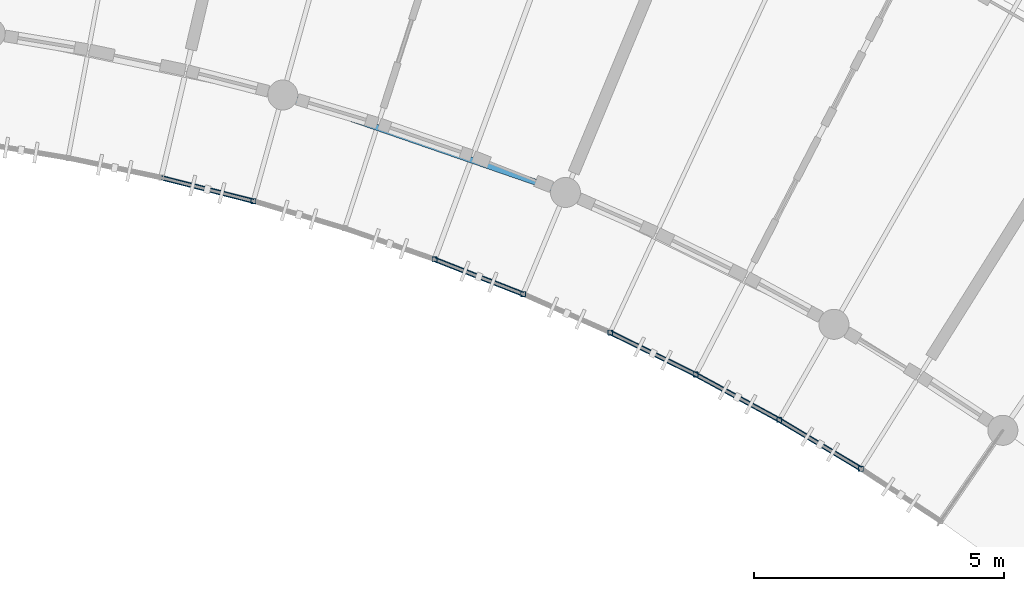
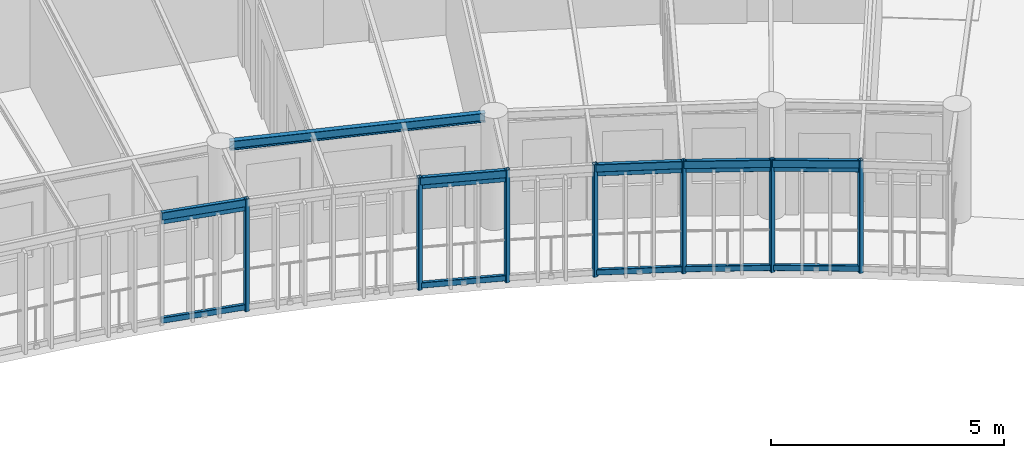
# One storey, part 38 of 101: 17 members, 6 beams.
"""IFC4 building model written with IfcOpenShell, lengths in metres."""

import ifcopenshell
import ifcopenshell.guid

model = None  # the IFC model being written
_history = None  # IfcOwnerHistory: only IFC2X3 demands one
_inside = {}  # id of a spatial element -> (the spatial element, [elements in it])
_under = {}  # id of a project, library or spatial element -> (it, [spatial elements below it])
_declared = {}  # id of a project -> (the project, [libraries it declares])
_typed = {}  # id of a type object -> (the type object, [elements of that type])
_made_of = {}  # id of a material, layer set ... -> (it, [elements and type objects made of it])


def new_model(schema):
    """Start an empty IFC model of exactly this schema.

    Asked for "IFC4X3", IfcOpenShell would pick the latest addendum, in which some entities
    have other attributes; the version numbers below select the first issue.
    IFC2X3 requires an IfcOwnerHistory on every rooted entity: one is made here for all.
    """
    global model, _history
    if schema == "IFC4X3":
        model = ifcopenshell.file(schema_version=(4, 3, 0, 0))
    else:
        model = ifcopenshell.file(schema=schema)
    _inside.clear()
    _under.clear()
    _declared.clear()
    _typed.clear()
    _made_of.clear()
    _history = None
    if model.schema == "IFC2X3":
        org = make("IfcOrganization", Name="unknown")
        user = make(
            "IfcPersonAndOrganization",
            ThePerson=make("IfcPerson", FamilyName="unknown"),
            TheOrganization=org,
        )
        app = make(
            "IfcApplication",
            ApplicationDeveloper=org,
            Version="unknown",
            ApplicationFullName="unknown",
            ApplicationIdentifier="unknown",
        )
        _history = make(
            "IfcOwnerHistory",
            OwningUser=user,
            OwningApplication=app,
            ChangeAction="ADDED",
            CreationDate=0,
        )
    return model


def make(cls, **values):
    """One entity of the class cls with the attributes given. An attribute that is None is left unset."""
    return model.create_entity(
        cls, **{name: value for name, value in values.items() if value is not None}
    )


def rooted(cls, **values):
    """An entity with a GlobalId (a new one), such as an element, a storey or a relation."""
    return make(cls, GlobalId=ifcopenshell.guid.new(), OwnerHistory=_history, **values)


def si_unit(unit_type, name, prefix=None):
    """IfcSIUnit, for example si_unit("LENGTHUNIT", "METRE", prefix="MILLI")."""
    return make("IfcSIUnit", UnitType=unit_type, Prefix=prefix, Name=name)


def assignment(units):
    """IfcUnitAssignment: the units of a project."""
    return None if units is None else make("IfcUnitAssignment", Units=units)


def point(xyz):
    """IfcCartesianPoint."""
    return None if xyz is None else make("IfcCartesianPoint", Coordinates=xyz)


def direction(xyz):
    """IfcDirection."""
    return None if xyz is None else make("IfcDirection", DirectionRatios=xyz)


def frame(location, z_axis=None, x_axis=None):
    """IfcAxis2Placement3D, a coordinate frame: its origin and axes. An axis left out is left unset."""
    return make(
        "IfcAxis2Placement3D",
        Location=point(location),
        Axis=direction(z_axis),
        RefDirection=direction(x_axis),
    )


def frame_2d(location, x_axis=None):
    """IfcAxis2Placement2D, a coordinate frame in the plane: its origin and x axis."""
    return make(
        "IfcAxis2Placement2D", Location=point(location), RefDirection=direction(x_axis)
    )


def origin():
    """The frame at (0, 0, 0) with its axes left unset."""
    return frame((0.0, 0.0, 0.0))


def origin_2d():
    """The frame at (0, 0) in the plane with its x axis left unset."""
    return frame_2d((0.0, 0.0))


def place(relative_to, where):
    """IfcLocalPlacement: puts the frame where relative to a parent placement (None: the world)."""
    return make(
        "IfcLocalPlacement", PlacementRelTo=relative_to, RelativePlacement=where
    )


def context(
    kind, dimensions, precision=None, world=None, true_north=None, identifier=None
):
    """IfcGeometricRepresentationContext, for example the 3D "Model" context."""
    return make(
        "IfcGeometricRepresentationContext",
        ContextIdentifier=identifier,
        ContextType=kind,
        CoordinateSpaceDimension=dimensions,
        Precision=precision,
        WorldCoordinateSystem=world,
        TrueNorth=true_north,
    )


def subcontext(parent, identifier, kind, view, scale=None):
    """IfcGeometricRepresentationSubContext, for example "Body" below "Model"."""
    return make(
        "IfcGeometricRepresentationSubContext",
        ContextIdentifier=identifier,
        ContextType=kind,
        ParentContext=parent,
        TargetScale=scale,
        TargetView=view,
    )


def project(units=None, contexts=None):
    """IfcProject with its units and contexts."""
    return rooted(
        "IfcProject",
        Name="project",
        RepresentationContexts=contexts,
        UnitsInContext=assignment(units),
    )


def spatial(cls, under=None, at=None, **own):
    """A site, building, storey or space (cls), placed at a placement, below another one or the project."""
    s = rooted(cls, ObjectPlacement=at, **own)
    if under is not None:
        _under.setdefault(under.id(), (under, []))[1].append(s)
    return s


def profile(cls, at=None, kind="AREA", **sizes):
    """A parametric profile (cls). Its sizes go by their IFC names, for example OverallWidth=200.0."""
    return make(cls, ProfileType=kind, Position=at, **sizes)


def hollow_rectangle(**sizes):
    """IfcRectangleHollowProfileDef."""
    return profile("IfcRectangleHollowProfileDef", **sizes)


def i_section(**sizes):
    """IfcIShapeProfileDef."""
    return profile("IfcIShapeProfileDef", **sizes)


def extrude(swept, where, along, depth):
    """IfcExtrudedAreaSolid: the profile swept, set in the frame where, extruded along a direction by depth."""
    return make(
        "IfcExtrudedAreaSolid",
        SweptArea=swept,
        Position=where,
        ExtrudedDirection=direction(along),
        Depth=depth,
    )


def shape(context_of_items, identifier, shape_type, items):
    """IfcShapeRepresentation: the items that make up one representation, for example the "Body"."""
    return make(
        "IfcShapeRepresentation",
        ContextOfItems=context_of_items,
        RepresentationIdentifier=identifier,
        RepresentationType=shape_type,
        Items=items,
    )


def material(Name=None, Category=None):
    """IfcMaterial."""
    return make("IfcMaterial", Name=Name, Category=Category)


def material_profile(
    of_material, cross_section, Name=None, Category=None, Priority=None
):
    """IfcMaterialProfile: a cross section and its material."""
    return make(
        "IfcMaterialProfile",
        Name=Name,
        Material=of_material,
        Profile=cross_section,
        Priority=Priority,
        Category=Category,
    )


def profile_set(profiles, Name=None, composite=None):
    """IfcMaterialProfileSet."""
    return make(
        "IfcMaterialProfileSet",
        Name=Name,
        MaterialProfiles=profiles,
        CompositeProfile=composite,
    )


def made_of(thing, what):
    """Note that an element or type object is made of a material, layer set ...; save() writes the relation."""
    if what is not None:
        _made_of.setdefault(what.id(), (what, []))[1].append(thing)
    return thing


def type_object(cls, material=None, **own):
    """A type object (cls), such as IfcWallType, which elements share."""
    return made_of(rooted(cls, **own), material)


def element(
    cls,
    number,
    at=None,
    inside=None,
    cuts=None,
    type_object=None,
    material=None,
    context=None,
    identifier="Body",
    shape_type=None,
    held_by="IfcProductDefinitionShape",
    body=None,
    shapes=None,
    **own,
):
    """One element of the class cls, such as IfcWall. Its Tag is "e" and its number.

    at: its placement. inside: the storey or other place that contains it. cuts: it is an
    opening in that element (IfcRelVoidsElement). A single representation is given by context,
    identifier, shape_type and body (its items); several are given by shapes. held_by: the class
    of the entity that holds the representations. save() writes the other relations.
    """
    e = rooted(cls, Tag="e%d" % number, ObjectPlacement=at, **own)
    if body is not None:
        shapes = [shape(context, identifier, shape_type, body)]
    if shapes is not None:
        e.Representation = make(held_by, Representations=shapes)
    if inside is not None:
        _inside.setdefault(inside.id(), (inside, []))[1].append(e)
    if cuts is not None:
        rooted(
            "IfcRelVoidsElement", RelatingBuildingElement=cuts, RelatedOpeningElement=e
        )
    if type_object is not None:
        _typed.setdefault(type_object.id(), (type_object, []))[1].append(e)
    return made_of(e, material)


def aggregate(whole, parts):
    """IfcRelAggregates: a whole, such as a stair, and the parts it consists of."""
    return rooted("IfcRelAggregates", RelatingObject=whole, RelatedObjects=parts)


def save(model, path):
    """Write the relations noted so far, then the file.

    IfcRelAggregates (storeys below a building ...), IfcRelContainedInSpatialStructure (elements
    in a storey), IfcRelDefinesByType, IfcRelAssociatesMaterial and IfcRelDeclares: one each for
    every whole, place, type object, material and project.
    """
    for whole, parts in _under.values():
        aggregate(whole, parts)
    for where, things in _inside.values():
        rooted(
            "IfcRelContainedInSpatialStructure",
            RelatedElements=things,
            RelatingStructure=where,
        )
    for kind, things in _typed.values():
        rooted("IfcRelDefinesByType", RelatedObjects=things, RelatingType=kind)
    for what, things in _made_of.values():
        rooted("IfcRelAssociatesMaterial", RelatedObjects=things, RelatingMaterial=what)
    for by, libraries in _declared.values():
        rooted("IfcRelDeclares", RelatingContext=by, RelatedDefinitions=libraries)
    model.write(path)


model = new_model("IFC4")

# Units and contexts
model_context = context("Model", 3, precision=1e-05, world=origin(), true_north=direction((0.0, 1.0)))
body_context = subcontext(model_context, "Body", "Model", "MODEL_VIEW")
ifc_project = project(units=[si_unit("LENGTHUNIT", "METRE"), si_unit("AREAUNIT", "SQUARE_METRE"), si_unit("VOLUMEUNIT", "CUBIC_METRE"), si_unit("PLANEANGLEUNIT", "RADIAN"), si_unit("MASSUNIT", "GRAM", prefix="KILO"), si_unit("POWERUNIT", "WATT"), si_unit("THERMODYNAMICTEMPERATUREUNIT", "KELVIN")], contexts=[model_context])

# Site, building, storey
site_placement = place(None, origin())
site = spatial("IfcSite", under=ifc_project, at=site_placement, CompositionType="ELEMENT")
building_placement = place(site_placement, origin())
building = spatial("IfcBuilding", under=site, at=building_placement, Name="Ruvembo Vaulted Housing Court", CompositionType="ELEMENT")
storey_placement = place(building_placement, frame((0.0, 0.0, 17.300048828125)))
storey = spatial("IfcBuildingStorey", under=building, at=storey_placement, Name="L05", CompositionType="ELEMENT", Elevation=17.300048828125)

# Beams
ifc_material = material(Name="Steel S355J2", Category="steel")
ifc_material_profile_1 = material_profile(ifc_material, i_section(OverallWidth=0.1201171875, OverallDepth=0.239990234375, WebThickness=0.006103515625, FlangeThickness=0.009765625, FilletRadius=0.014892578125, at=origin_2d()), Name="IPE 240")
ifc_profile_set_1 = profile_set([ifc_material_profile_1], Name="Steel S355J2")
beam_type_1 = type_object("IfcBeamType", Name="BM-ST-IPE240", PredefinedType="BEAM", material=ifc_profile_set_1)
beam_placement = place(storey_placement, frame((129.974365234375, 96.201416015625, 2.81396484375), z_axis=(0.945359066189, -0.326031035292, 0.0), x_axis=(0.326031035292, 0.945359066189, 0.0)))
element("IfcBeam", 1, at=beam_placement, inside=storey, type_object=beam_type_1, Name="Scoop SC3 L05 Chord Girder F21", PredefinedType="BEAM", context=body_context, shape_type="SweptSolid", body=[
    extrude(i_section(OverallWidth=0.1201171875, OverallDepth=0.239990234375, WebThickness=0.006103515625, FlangeThickness=0.009765625, FilletRadius=0.014892578125, at=origin_2d()), origin(), (0.0, 0.0, 1.0), 5.59375),
])
ifc_material_profile_2 = material_profile(ifc_material, hollow_rectangle(XDim=0.10009765625, YDim=0.199951171875, WallThickness=0.008056640625, InnerFilletRadius=0.008056640625, OuterFilletRadius=0.01611328125, at=origin_2d()), Name="RHS 200x100x8")
ifc_profile_set_2 = profile_set([ifc_material_profile_2], Name="Steel S355J2")
beam_type_2 = type_object("IfcBeamType", Name="BM-ST-RHS200", PredefinedType="SPANDREL", material=ifc_profile_set_2)
for number, where, z_axis, x_axis, name in (
    (2, (127.365966796875, 94.611572265625, 2.83203125), (0.969121730429, -0.246582788553, 0.0), (0.246582788553, 0.969121730429, 0.0), "Scoop SC3 L05 Balcony Edge Spandrel 20"),
    (3, (132.826904296875, 92.978515625, 2.83203125), (0.931005720133, -0.365004587752, 0.0), (0.365004587752, 0.931005720133, 0.0), "Scoop SC3 L05 Balcony Edge Spandrel 23"),
):
    element("IfcBeam", number, at=place(storey_placement, frame(where, z_axis=z_axis, x_axis=x_axis)), inside=storey, type_object=beam_type_2, Name=name, PredefinedType="SPANDREL", context=body_context, shape_type="SweptSolid", body=[
        extrude(hollow_rectangle(XDim=0.10009765625, YDim=0.199951171875, WallThickness=0.008056640625, InnerFilletRadius=0.008056640625, OuterFilletRadius=0.01611328125, at=origin_2d()), origin(), (0.0, 0.0, 1.0), 1.90087890625),
    ])
for number, where, z_axis, x_axis, name in (
    (4, (136.336181640625, 91.51806640625, 2.83203125), (0.897513310314, -0.44098736695, 0.0), (0.44098736695, 0.897513310314, 0.0), "Scoop SC3 L05 Balcony Edge Spandrel 25"),
    (5, (138.04248046875, 90.6796875, 2.83203125), (0.878513214386, -0.477718046706, 0.0), (0.477718046706, 0.878513214386, 0.0), "Scoop SC3 L05 Balcony Edge Spandrel 26"),
    (6, (139.712646484375, 89.771484375, 2.83203125), (0.857889282303, -0.513834583607, 0.0), (0.513834583607, 0.857889282303, 0.0), "Scoop SC3 L05 Balcony Edge Spandrel 27"),
):
    element("IfcBeam", number, at=place(storey_placement, frame(where, z_axis=z_axis, x_axis=x_axis)), inside=storey, type_object=beam_type_2, Name=name, PredefinedType="SPANDREL", context=body_context, shape_type="SweptSolid", body=[
        extrude(hollow_rectangle(XDim=0.10009765625, YDim=0.199951171875, WallThickness=0.008056640625, InnerFilletRadius=0.008056640625, OuterFilletRadius=0.01611328125, at=origin_2d()), origin(), (0.0, 0.0, 1.0), 1.901123046875),
    ])

# Members
ifc_material_profile_3 = material_profile(ifc_material, hollow_rectangle(XDim=0.06005859375, YDim=0.1201171875, WallThickness=0.0048828125, InnerFilletRadius=0.0048828125, OuterFilletRadius=0.010009765625, at=origin_2d()), Name="RHS 120x60x5")
ifc_profile_set_3 = profile_set([ifc_material_profile_3], Name="Steel S355J2")
member_type_1 = type_object("IfcMemberType", Name="MEM-CAR-RHS120", PredefinedType="CHORD", material=ifc_profile_set_3)
for number, where, z_axis, x_axis, name in (
    (7, (127.365966796875, 94.611572265625, 2.675048828125), (0.969121730429, -0.246582788553, 0.0), (0.246582788553, 0.969121730429, 0.0), "Scoop SC3 L05 Upper Louvre Carrier Rail 20"),
    (8, (132.826904296875, 92.978515625, 2.675048828125), (0.931005720133, -0.365004587752, 0.0), (0.365004587752, 0.931005720133, 0.0), "Scoop SC3 L05 Upper Louvre Carrier Rail 23"),
):
    element("IfcMember", number, at=place(storey_placement, frame(where, z_axis=z_axis, x_axis=x_axis)), inside=storey, type_object=member_type_1, Name=name, PredefinedType="CHORD", context=body_context, shape_type="SweptSolid", body=[
        extrude(hollow_rectangle(XDim=0.06005859375, YDim=0.1201171875, WallThickness=0.0048828125, InnerFilletRadius=0.0048828125, OuterFilletRadius=0.010009765625, at=origin_2d()), origin(), (0.0, 0.0, 1.0), 1.90087890625),
    ])
for number, where, z_axis, x_axis, name in (
    (9, (136.336181640625, 91.51806640625, 2.675048828125), (0.897513310314, -0.44098736695, 0.0), (0.44098736695, 0.897513310314, 0.0), "Scoop SC3 L05 Upper Louvre Carrier Rail 25"),
    (10, (138.04248046875, 90.6796875, 2.675048828125), (0.878513214386, -0.477718046706, 0.0), (0.477718046706, 0.878513214386, 0.0), "Scoop SC3 L05 Upper Louvre Carrier Rail 26"),
    (11, (139.712646484375, 89.771484375, 2.675048828125), (0.857889282303, -0.513834583607, 0.0), (0.513834583607, 0.857889282303, 0.0), "Scoop SC3 L05 Upper Louvre Carrier Rail 27"),
):
    element("IfcMember", number, at=place(storey_placement, frame(where, z_axis=z_axis, x_axis=x_axis)), inside=storey, type_object=member_type_1, Name=name, PredefinedType="CHORD", context=body_context, shape_type="SweptSolid", body=[
        extrude(hollow_rectangle(XDim=0.06005859375, YDim=0.1201171875, WallThickness=0.0048828125, InnerFilletRadius=0.0048828125, OuterFilletRadius=0.010009765625, at=origin_2d()), origin(), (0.0, 0.0, 1.0), 1.901123046875),
    ])
ifc_material_profile_4 = material_profile(ifc_material, hollow_rectangle(XDim=0.080078125, YDim=0.14990234375, WallThickness=0.00634765625, InnerFilletRadius=0.00634765625, OuterFilletRadius=0.0126953125, at=origin_2d()), Name="RHS 150x80x6.3")
ifc_profile_set_4 = profile_set([ifc_material_profile_4], Name="Steel S355J2")
member_type_2 = type_object("IfcMemberType", Name="MEM-CAR-RHS150", PredefinedType="CHORD", material=ifc_profile_set_4)
for number, where, z_axis, x_axis, name in (
    (12, (127.365966796875, 94.611572265625, 0.094970703125), (0.969121730429, -0.246582788553, 0.0), (0.246582788553, 0.969121730429, 0.0), "Scoop SC3 L05 Lower Louvre Carrier Rail 20"),
    (13, (132.826904296875, 92.978515625, 0.094970703125), (0.931005720133, -0.365004587752, 0.0), (0.365004587752, 0.931005720133, 0.0), "Scoop SC3 L05 Lower Louvre Carrier Rail 23"),
):
    element("IfcMember", number, at=place(storey_placement, frame(where, z_axis=z_axis, x_axis=x_axis)), inside=storey, type_object=member_type_2, Name=name, PredefinedType="CHORD", context=body_context, shape_type="SweptSolid", body=[
        extrude(hollow_rectangle(XDim=0.080078125, YDim=0.14990234375, WallThickness=0.00634765625, InnerFilletRadius=0.00634765625, OuterFilletRadius=0.0126953125, at=origin_2d()), origin(), (0.0, 0.0, 1.0), 1.90087890625),
    ])
for number, where, z_axis, x_axis, name in (
    (14, (136.336181640625, 91.51806640625, 0.094970703125), (0.897513310314, -0.44098736695, 0.0), (0.44098736695, 0.897513310314, 0.0), "Scoop SC3 L05 Lower Louvre Carrier Rail 25"),
    (15, (138.04248046875, 90.6796875, 0.094970703125), (0.878513214386, -0.477718046706, 0.0), (0.477718046706, 0.878513214386, 0.0), "Scoop SC3 L05 Lower Louvre Carrier Rail 26"),
    (16, (139.712646484375, 89.771484375, 0.094970703125), (0.857889282303, -0.513834583607, 0.0), (0.513834583607, 0.857889282303, 0.0), "Scoop SC3 L05 Lower Louvre Carrier Rail 27"),
):
    element("IfcMember", number, at=place(storey_placement, frame(where, z_axis=z_axis, x_axis=x_axis)), inside=storey, type_object=member_type_2, Name=name, PredefinedType="CHORD", context=body_context, shape_type="SweptSolid", body=[
        extrude(hollow_rectangle(XDim=0.080078125, YDim=0.14990234375, WallThickness=0.00634765625, InnerFilletRadius=0.00634765625, OuterFilletRadius=0.0126953125, at=origin_2d()), origin(), (0.0, 0.0, 1.0), 1.901123046875),
    ])
ifc_material_profile_5 = material_profile(ifc_material, hollow_rectangle(XDim=0.10009765625, YDim=0.10009765625, WallThickness=0.00634765625, InnerFilletRadius=0.00634765625, OuterFilletRadius=0.0126953125, at=origin_2d()), Name="SHS 100x100x6.3")
ifc_profile_set_5 = profile_set([ifc_material_profile_5], Name="Steel S355J2")
member_type_3 = type_object("IfcMemberType", Name="MEM-FRM-SHS100", PredefinedType="STRUT", material=ifc_profile_set_5)
for number, where, z_axis, x_axis, name in (
    (17, (129.208251953125, 94.142822265625, -0.01513671875), (0.0, 0.0, 1.0), (1.0, 0.0, 0.0), "Scoop SC3 L05 Louvre Frame Post 21"),
    (18, (132.826904296875, 92.978515625, -0.01513671875), (0.0, 0.0, 1.0), (1.0, 0.0, 0.0), "Scoop SC3 L05 Louvre Frame Post 23"),
    (19, (134.5966796875, 92.28466796875, -0.01513671875), (0.0, 0.0, 1.0), (1.0, 0.0, 0.0), "Scoop SC3 L05 Louvre Frame Post 24"),
    (20, (136.336181640625, 91.51806640625, -0.01513671875), (0.0, 0.0, 1.0), (1.0, 0.0, 0.0), "Scoop SC3 L05 Louvre Frame Post 25"),
    (21, (138.04248046875, 90.6796875, -0.01513671875), (0.0, 0.0, 1.0), (1.0, 0.0, 0.0), "Scoop SC3 L05 Louvre Frame Post 26"),
    (22, (139.712646484375, 89.771484375, -0.01513671875), (0.0, 0.0, 1.0), (1.0, 0.0, 0.0), "Scoop SC3 L05 Louvre Frame Post 27"),
    (23, (141.343505859375, 88.794677734375, -0.01513671875), (0.0, 0.0, 1.0), (1.0, 0.0, 0.0), "Scoop SC3 L05 Louvre Frame Post 28"),
):
    element("IfcMember", number, at=place(storey_placement, frame(where, z_axis=z_axis, x_axis=x_axis)), inside=storey, type_object=member_type_3, Name=name, PredefinedType="STRUT", context=body_context, shape_type="SweptSolid", body=[
        extrude(hollow_rectangle(XDim=0.10009765625, YDim=0.10009765625, WallThickness=0.00634765625, InnerFilletRadius=0.00634765625, OuterFilletRadius=0.0126953125, at=origin_2d()), origin(), (0.0, 0.0, 1.0), 2.953125),
    ])

save(model, "model.ifc")
